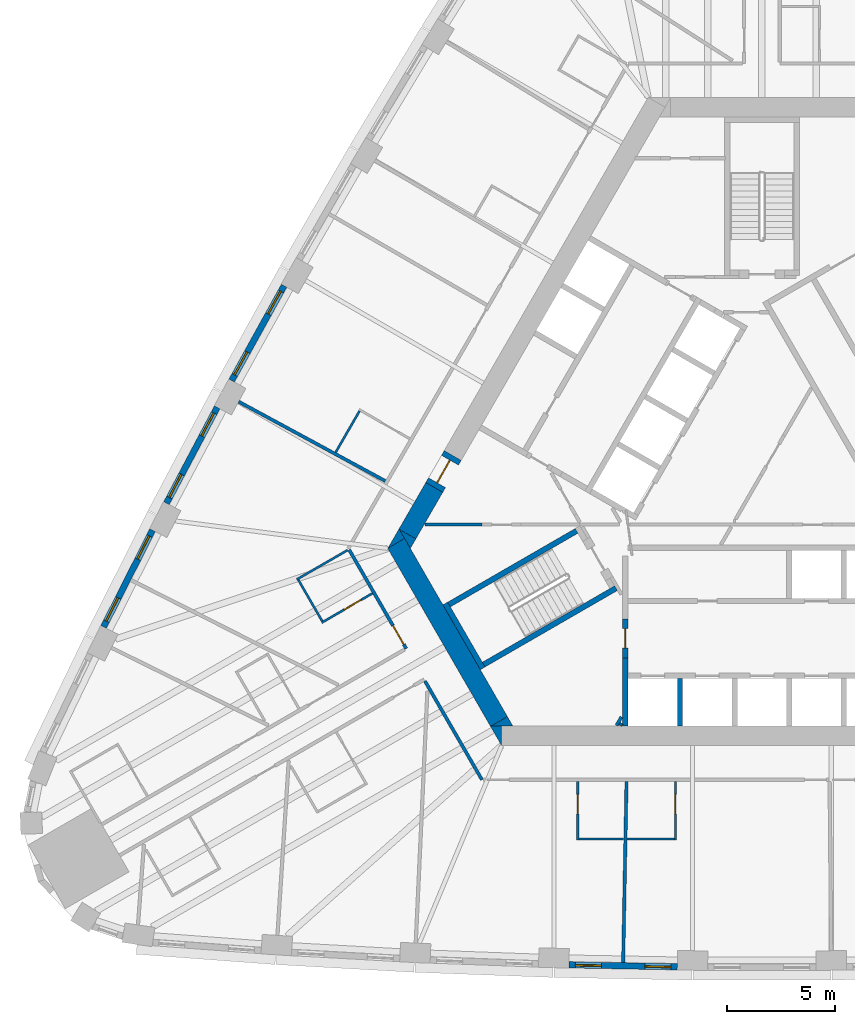
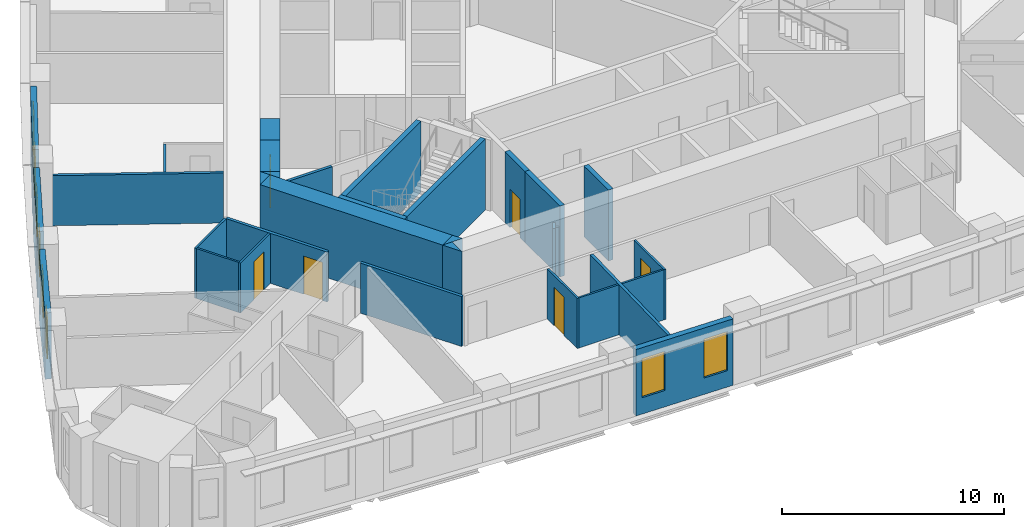
# One storey, part 4 of 13: 32 walls, 8 windows, 6 doors, 14 openings.
"""IFC4 building model written with IfcOpenShell, lengths in metres."""

from ifc_helpers import new_model, si_unit, direction, frame, frame_2d, origin, place, context, subcontext, project, spatial, polyline, rectangle, outline, extrude, material, layer, layer_set, type_object, element, fill, save


model = new_model("IFC4")

# Units and contexts
model_context = context("Model", 3, precision=1e-05, world=origin(), true_north=direction((0.0, 1.0)))
body_context = subcontext(model_context, "Body", "Model", "MODEL_VIEW")
ifc_project = project(units=[si_unit("LENGTHUNIT", "METRE"), si_unit("AREAUNIT", "SQUARE_METRE"), si_unit("VOLUMEUNIT", "CUBIC_METRE"), si_unit("PLANEANGLEUNIT", "RADIAN"), si_unit("MASSUNIT", "GRAM", prefix="KILO")], contexts=[model_context])

# Site, building, storey
site_placement = place(None, origin())
site = spatial("IfcSite", under=ifc_project, at=site_placement, CompositionType="ELEMENT")
building_placement = place(site_placement, origin())
building = spatial("IfcBuilding", under=site, at=building_placement, Name="Mestral Congress Tower", CompositionType="ELEMENT")
storey_placement = place(building_placement, frame((0.0, 0.0, 58.800048828125)))
storey = spatial("IfcBuildingStorey", under=building, at=storey_placement, Name="L13", CompositionType="ELEMENT", Elevation=58.800048828125)

# Walls
ifc_material_1 = material(Name="Fire-rated board partition")
ifc_layer_1 = layer(ifc_material_1, 0.14990234375)
ifc_layer_set_1 = layer_set([ifc_layer_1], Name="Fire-rated board partition")
wall_type_1 = type_object("IfcWallType", Name="Core partition 150", PredefinedType="PARTITIONING", material=ifc_layer_set_1)
wall_1_placement = place(storey_placement, frame((-6.707763671875, -12.068115234375, 0.0), z_axis=(0.0, 0.0, 1.0), x_axis=(0.500000789788, 0.8660249478, 0.0)))
element("IfcWall", 1, at=wall_1_placement, inside=storey, type_object=wall_type_1, Name="L13 core wall", PredefinedType="PARTITIONING", context=body_context, shape_type="SweptSolid", body=[
    extrude(rectangle(XDim=0.45556640625, YDim=0.14990234375, at=frame_2d((0.227783203125, 0.0))), origin(), (0.0, 0.0, 1.0), 2.75),
])
wall_2_placement = place(storey_placement, frame((-6.534423828125, -12.068115234375, 0.0), z_axis=(0.0, 0.0, 1.0), x_axis=(0.500240224089, 0.865886665912, 0.0)))
element("IfcWall", 2, at=wall_2_placement, inside=storey, type_object=wall_type_1, Name="L13 core wall", PredefinedType="PARTITIONING", context=body_context, shape_type="SweptSolid", body=[
    extrude(rectangle(XDim=0.10888671875, YDim=0.14990234375, at=frame_2d((0.054443359375, 0.0))), origin(), (0.0, 0.0, 1.0), 2.75),
])
wall_3_placement = place(storey_placement, frame((-12.9150390625, -2.800048828125, 0.0), z_axis=(0.0, 0.0, 1.0), x_axis=(-1.0, 0.0, 0.0)))
element("IfcWall", 3, at=wall_3_placement, inside=storey, type_object=wall_type_1, Name="L13 core wall", PredefinedType="PARTITIONING", context=body_context, shape_type="SweptSolid", body=[
    extrude(rectangle(XDim=2.63671875, YDim=0.14990234375, at=frame_2d((1.318359375, 0.0))), origin(), (0.0, 0.0, 1.0), 2.75),
])
ifc_material_2 = material(Name="Concrete C60/75", Category="concrete")
ifc_layer_2 = layer(ifc_material_2, 0.89990234375)
ifc_layer_set_2 = layer_set([ifc_layer_2], Name="Concrete C60/75")
wall_type_2 = type_object("IfcWallType", Name="Core wall RC 900", PredefinedType="SOLIDWALL", material=ifc_layer_set_2)
placement = place(storey_placement, origin())
element("IfcWall", 4, at=placement, inside=storey, type_object=wall_type_2, Name="L13 core wall", PredefinedType="SOLIDWALL", context=body_context, shape_type="SweptSolid", body=[
    extrude(outline(polyline([(-12.528564453125, -12.10009765625), (-12.0205078125, -12.10009765625), (-12.0205078125, -12.97998046875), (-12.528564453125, -12.10009765625)])), origin(), (0.0, 0.0, 1.0), 3.89990234375),
])
wall_5_placement = place(storey_placement, frame((-12.134033203125, -11.88330078125, 0.0), z_axis=(0.0, 0.0, 1.0), x_axis=(-0.500005339912, 0.866022320763, 0.0)))
element("IfcWall", 5, at=wall_5_placement, inside=storey, type_object=wall_type_2, Name="L13 core wall", PredefinedType="SOLIDWALL", context=body_context, shape_type="SweptSolid", body=[
    extrude(rectangle(XDim=9.48779296875, YDim=0.89990234375, at=frame_2d((4.743896484375, 0.0))), origin(), (0.0, 0.0, 1.0), 3.89990234375),
])
element("IfcWall", 6, at=placement, inside=storey, type_object=wall_type_2, Name="L13 core wall", PredefinedType="SOLIDWALL", context=body_context, shape_type="SweptSolid", body=[
    extrude(outline(polyline([(-16.4892578125, -3.43994140625), (-17.251220703125, -3.8798828125), (-16.7431640625, -3.0), (-16.4892578125, -3.43994140625)])), origin(), (0.0, 0.0, 1.0), 3.89990234375),
])
element("IfcWall", 7, at=placement, inside=storey, type_object=wall_type_2, Name="L13 core wall", PredefinedType="SOLIDWALL", context=body_context, shape_type="SweptSolid", body=[
    extrude(outline(polyline([(-11.4892578125, -12.10009765625), (-12.50537109375, -12.10009765625), (-11.743408203125, -11.66015625), (-11.4892578125, -12.10009765625)])), origin(), (0.0, 0.0, 1.0), 3.89990234375),
])
wall_8_placement = place(storey_placement, frame((-15.117919921875, -1.085205078125, 0.0), z_axis=(0.0, 0.0, 1.0), x_axis=(-0.50006606081, -0.865987260198, 0.0)))
element("IfcWall", 8, at=wall_8_placement, inside=storey, type_object=wall_type_2, Name="L13 core wall", PredefinedType="SOLIDWALL", context=body_context, shape_type="SweptSolid", body=[
    extrude(rectangle(XDim=2.480712890625, YDim=0.89990234375, at=frame_2d((1.240234375, 0.0))), origin(), (0.0, 0.0, 1.0), 3.89990234375),
])
element("IfcWall", 9, at=placement, inside=storey, type_object=wall_type_2, Name="L13 core wall", PredefinedType="SOLIDWALL", context=body_context, shape_type="SweptSolid", body=[
    extrude(outline(polyline([(-16.223388671875, -3.89990234375), (-16.731689453125, -3.02001953125), (-15.969482421875, -3.460205078125), (-16.223388671875, -3.89990234375)])), origin(), (0.0, 0.0, 1.0), 3.89990234375),
])

# Wall, opening, door
wall_10_placement = place(storey_placement, frame((-15.117919921875, -1.085205078125, 0.0), z_axis=(0.0, 0.0, 1.0), x_axis=(0.500000056704, 0.866025371046, 0.0)))
wall_10 = element("IfcWall", 10, at=wall_10_placement, inside=storey, type_object=wall_type_2, Name="L13 door wall", PredefinedType="SOLIDWALL", context=body_context, shape_type="SweptSolid", body=[
    extrude(rectangle(XDim=1.7001953125, YDim=0.89990234375, at=frame_2d((0.85009765625, 0.0))), origin(), (0.0, 0.0, 1.0), 3.89990234375),
])
opening_1_placement = place(wall_10_placement, frame((0.25, 0.0, 0.0)))
opening_1 = element("IfcOpeningElement", 11, at=opening_1_placement, cuts=wall_10, Name="Opening XD3", PredefinedType="OPENING", context=body_context, shape_type="SweptSolid", body=[
    extrude(rectangle(XDim=1.199951171875, YDim=2.10009765625, at=frame_2d((0.60009765625, 1.050048828125))), frame((0.0, 0.4599609375, 0.0), z_axis=(0.0, -1.0, 0.0), x_axis=(1.0, 0.0, 0.0)), (0.0, 0.0, 1.0), 0.919921875),
])
ifc_material_3 = material(Name="Fire-rated steel door set", Category="steel")
door_type_1 = type_object("IfcDoorType", Name="Core door XD 1200x2100", OperationType="SINGLE_SWING_LEFT", PredefinedType="DOOR", material=ifc_material_3)
door_1_placement = place(opening_1_placement, origin())
door_1 = element("IfcDoor", 12, at=door_1_placement, inside=storey, type_object=door_type_1, Name="Door XD3", OperationType="SINGLE_SWING_LEFT", OverallHeight=2.10009765625, OverallWidth=1.199951171875, PredefinedType="DOOR", context=body_context, shape_type="SweptSolid", body=[
    extrude(rectangle(XDim=1.199951171875, YDim=2.10009765625, at=frame_2d((0.60009765625, 1.050048828125))), frame((0.0, 0.02490234375, 0.0), z_axis=(0.0, -1.0, 0.0), x_axis=(1.0, 0.0, 0.0)), (0.0, 0.0, 1.0), 0.050048828125),
])
fill(opening_1, door_1)

# Wall, openings, windows
ifc_material_4 = material(Name="Precast concrete C40/50 with limestone facing", Category="masonry")
ifc_layer_3 = layer(ifc_material_4, 0.2900390625)
ifc_layer_set_3 = layer_set([ifc_layer_3], Name="Precast concrete C40/50 with limestone facing")
wall_type_3 = type_object("IfcWallType", Name="Facade stone wall 290", PredefinedType="SOLIDWALL", material=ifc_layer_set_3)
wall_11_placement = place(storey_placement, frame((-8.903564453125, -23.11279296875, 0.0), z_axis=(0.0, 0.0, 1.0), x_axis=(0.999829529479, -0.018463801951, 0.0)))
wall_11 = element("IfcWall", 13, at=wall_11_placement, inside=storey, type_object=wall_type_3, Name="Facade wall F0-03", PredefinedType="SOLIDWALL", context=body_context, shape_type="SweptSolid", body=[
    extrude(rectangle(XDim=4.998046875, YDim=0.2900390625, at=frame_2d((2.4990234375, 0.0))), origin(), (0.0, 0.0, 1.0), 3.64990234375),
])
opening_2_placement = place(wall_11_placement, frame((0.297119140625, 0.0, 0.89990234375)))
opening_2 = element("IfcOpeningElement", 14, at=opening_2_placement, cuts=wall_11, Name="Opening W1", PredefinedType="OPENING", context=body_context, shape_type="SweptSolid", body=[
    extrude(rectangle(XDim=1.199951171875, YDim=2.14990234375, at=frame_2d((0.60009765625, 1.074951171875))), frame((0.0, 0.155029296875, 0.0), z_axis=(0.0, -1.0, 0.0), x_axis=(1.0, 0.0, 0.0)), (0.0, 0.0, 1.0), 0.31005859375),
])
opening_3_placement = place(wall_11_placement, frame((3.501220703125, 0.0, 0.89990234375)))
opening_3 = element("IfcOpeningElement", 15, at=opening_3_placement, cuts=wall_11, Name="Opening W1", PredefinedType="OPENING", context=body_context, shape_type="SweptSolid", body=[
    extrude(rectangle(XDim=1.199951171875, YDim=2.14990234375, at=frame_2d((0.60009765625, 1.074951171875))), frame((0.0, 0.155029296875, 0.0), z_axis=(0.0, -1.0, 0.0), x_axis=(1.0, 0.0, 0.0)), (0.0, 0.0, 1.0), 0.31005859375),
])
ifc_material_5 = material(Name="Clear low-emissivity double glazing", Category="glass")
window_type = type_object("IfcWindowType", Name="Facade punched window 1200 x 2150 sill 900", PartitioningType="DOUBLE_PANEL_VERTICAL", PredefinedType="WINDOW", material=ifc_material_5)
window_1_placement = place(opening_2_placement, origin())
window_1 = element("IfcWindow", 16, at=window_1_placement, inside=storey, type_object=window_type, Name="Window F0-03a", OverallHeight=2.14990234375, OverallWidth=1.199951171875, PartitioningType="DOUBLE_PANEL_VERTICAL", PredefinedType="WINDOW", context=body_context, shape_type="SweptSolid", body=[
    extrude(rectangle(XDim=1.199951171875, YDim=2.14990234375, at=frame_2d((0.60009765625, 1.074951171875))), frame((0.0, 0.01513671875, 0.0), z_axis=(0.0, -1.0, 0.0), x_axis=(1.0, 0.0, 0.0)), (0.0, 0.0, 1.0), 0.06005859375),
])
fill(opening_2, window_1)
window_2_placement = place(opening_3_placement, origin())
window_2 = element("IfcWindow", 17, at=window_2_placement, inside=storey, type_object=window_type, Name="Window F0-03b", OverallHeight=2.14990234375, OverallWidth=1.199951171875, PartitioningType="DOUBLE_PANEL_VERTICAL", PredefinedType="WINDOW", context=body_context, shape_type="SweptSolid", body=[
    extrude(rectangle(XDim=1.199951171875, YDim=2.14990234375, at=frame_2d((0.60009765625, 1.074951171875))), frame((0.0, 0.01513671875, 0.0), z_axis=(0.0, -1.0, 0.0), x_axis=(1.0, 0.0, 0.0)), (0.0, 0.0, 1.0), 0.06005859375),
])
fill(opening_3, window_2)

wall_12_placement = place(storey_placement, frame((-22.049560546875, 8.2197265625, 0.0), z_axis=(0.0, 0.0, 1.0), x_axis=(-0.483912572871, -0.875116347589, 0.0)))
wall_12 = element("IfcWall", 18, at=wall_12_placement, inside=storey, type_object=wall_type_3, Name="Facade wall F2-05", PredefinedType="SOLIDWALL", context=body_context, shape_type="SweptSolid", body=[
    extrude(rectangle(XDim=4.998291015625, YDim=0.2900390625, at=frame_2d((2.4990234375, 0.0))), origin(), (0.0, 0.0, 1.0), 3.64990234375),
])
opening_4_placement = place(wall_12_placement, frame((0.297119140625, 0.0, 0.89990234375)))
opening_4 = element("IfcOpeningElement", 19, at=opening_4_placement, cuts=wall_12, Name="Opening W1", PredefinedType="OPENING", context=body_context, shape_type="SweptSolid", body=[
    extrude(rectangle(XDim=1.199951171875, YDim=2.14990234375, at=frame_2d((0.60009765625, 1.074951171875))), frame((0.0, 0.155029296875, 0.0), z_axis=(0.0, -1.0, 0.0), x_axis=(1.0, 0.0, 0.0)), (0.0, 0.0, 1.0), 0.31005859375),
])
opening_5_placement = place(wall_12_placement, frame((3.501220703125, 0.0, 0.89990234375)))
opening_5 = element("IfcOpeningElement", 20, at=opening_5_placement, cuts=wall_12, Name="Opening W1", PredefinedType="OPENING", context=body_context, shape_type="SweptSolid", body=[
    extrude(rectangle(XDim=1.199951171875, YDim=2.14990234375, at=frame_2d((0.60009765625, 1.074951171875))), frame((0.0, 0.155029296875, 0.0), z_axis=(0.0, -1.0, 0.0), x_axis=(1.0, 0.0, 0.0)), (0.0, 0.0, 1.0), 0.31005859375),
])
window_3_placement = place(opening_4_placement, origin())
window_3 = element("IfcWindow", 21, at=window_3_placement, inside=storey, type_object=window_type, Name="Window F2-05a", OverallHeight=2.14990234375, OverallWidth=1.199951171875, PartitioningType="DOUBLE_PANEL_VERTICAL", PredefinedType="WINDOW", context=body_context, shape_type="SweptSolid", body=[
    extrude(rectangle(XDim=1.199951171875, YDim=2.14990234375, at=frame_2d((0.60009765625, 1.074951171875))), frame((0.0, 0.01513671875, 0.0), z_axis=(0.0, -1.0, 0.0), x_axis=(1.0, 0.0, 0.0)), (0.0, 0.0, 1.0), 0.06005859375),
])
fill(opening_4, window_3)
window_4_placement = place(opening_5_placement, origin())
window_4 = element("IfcWindow", 22, at=window_4_placement, inside=storey, type_object=window_type, Name="Window F2-05b", OverallHeight=2.14990234375, OverallWidth=1.199951171875, PartitioningType="DOUBLE_PANEL_VERTICAL", PredefinedType="WINDOW", context=body_context, shape_type="SweptSolid", body=[
    extrude(rectangle(XDim=1.199951171875, YDim=2.14990234375, at=frame_2d((0.60009765625, 1.074951171875))), frame((0.0, 0.01513671875, 0.0), z_axis=(0.0, -1.0, 0.0), x_axis=(1.0, 0.0, 0.0)), (0.0, 0.0, 1.0), 0.06005859375),
])
fill(opening_5, window_4)

wall_13_placement = place(storey_placement, frame((-25.1376953125, 2.60791015625, 0.0), z_axis=(0.0, 0.0, 1.0), x_axis=(-0.467629620899, -0.883924509026, 0.0)))
wall_13 = element("IfcWall", 23, at=wall_13_placement, inside=storey, type_object=wall_type_3, Name="Facade wall F2-06", PredefinedType="SOLIDWALL", context=body_context, shape_type="SweptSolid", body=[
    extrude(rectangle(XDim=4.998291015625, YDim=0.2900390625, at=frame_2d((2.4990234375, 0.0))), origin(), (0.0, 0.0, 1.0), 3.64990234375),
])
opening_6_placement = place(wall_13_placement, frame((0.297119140625, 0.0, 0.89990234375)))
opening_6 = element("IfcOpeningElement", 24, at=opening_6_placement, cuts=wall_13, Name="Opening W1", PredefinedType="OPENING", context=body_context, shape_type="SweptSolid", body=[
    extrude(rectangle(XDim=1.199951171875, YDim=2.14990234375, at=frame_2d((0.60009765625, 1.074951171875))), frame((0.0, 0.155029296875, 0.0), z_axis=(0.0, -1.0, 0.0), x_axis=(1.0, 0.0, 0.0)), (0.0, 0.0, 1.0), 0.31005859375),
])
opening_7_placement = place(wall_13_placement, frame((3.501220703125, 0.0, 0.89990234375)))
opening_7 = element("IfcOpeningElement", 25, at=opening_7_placement, cuts=wall_13, Name="Opening W1", PredefinedType="OPENING", context=body_context, shape_type="SweptSolid", body=[
    extrude(rectangle(XDim=1.199951171875, YDim=2.14990234375, at=frame_2d((0.60009765625, 1.074951171875))), frame((0.0, 0.155029296875, 0.0), z_axis=(0.0, -1.0, 0.0), x_axis=(1.0, 0.0, 0.0)), (0.0, 0.0, 1.0), 0.31005859375),
])
window_5_placement = place(opening_6_placement, origin())
window_5 = element("IfcWindow", 26, at=window_5_placement, inside=storey, type_object=window_type, Name="Window F2-06a", OverallHeight=2.14990234375, OverallWidth=1.199951171875, PartitioningType="DOUBLE_PANEL_VERTICAL", PredefinedType="WINDOW", context=body_context, shape_type="SweptSolid", body=[
    extrude(rectangle(XDim=1.199951171875, YDim=2.14990234375, at=frame_2d((0.60009765625, 1.074951171875))), frame((0.0, 0.01513671875, 0.0), z_axis=(0.0, -1.0, 0.0), x_axis=(1.0, 0.0, 0.0)), (0.0, 0.0, 1.0), 0.06005859375),
])
fill(opening_6, window_5)
window_6_placement = place(opening_7_placement, origin())
window_6 = element("IfcWindow", 27, at=window_6_placement, inside=storey, type_object=window_type, Name="Window F2-06b", OverallHeight=2.14990234375, OverallWidth=1.199951171875, PartitioningType="DOUBLE_PANEL_VERTICAL", PredefinedType="WINDOW", context=body_context, shape_type="SweptSolid", body=[
    extrude(rectangle(XDim=1.199951171875, YDim=2.14990234375, at=frame_2d((0.60009765625, 1.074951171875))), frame((0.0, 0.01513671875, 0.0), z_axis=(0.0, -1.0, 0.0), x_axis=(1.0, 0.0, 0.0)), (0.0, 0.0, 1.0), 0.06005859375),
])
fill(opening_7, window_6)

wall_14_placement = place(storey_placement, frame((-28.12158203125, -3.06005859375, 0.0), z_axis=(0.0, 0.0, 1.0), x_axis=(-0.451233929645, -0.892405704115, 0.0)))
wall_14 = element("IfcWall", 28, at=wall_14_placement, inside=storey, type_object=wall_type_3, Name="Facade wall F2-07", PredefinedType="SOLIDWALL", context=body_context, shape_type="SweptSolid", body=[
    extrude(rectangle(XDim=4.998291015625, YDim=0.2900390625, at=frame_2d((2.4990234375, 0.0))), origin(), (0.0, 0.0, 1.0), 3.64990234375),
])
opening_8_placement = place(wall_14_placement, frame((0.297119140625, 0.0, 0.89990234375)))
opening_8 = element("IfcOpeningElement", 29, at=opening_8_placement, cuts=wall_14, Name="Opening W1", PredefinedType="OPENING", context=body_context, shape_type="SweptSolid", body=[
    extrude(rectangle(XDim=1.199951171875, YDim=2.14990234375, at=frame_2d((0.60009765625, 1.074951171875))), frame((0.0, 0.155029296875, 0.0), z_axis=(0.0, -1.0, 0.0), x_axis=(1.0, 0.0, 0.0)), (0.0, 0.0, 1.0), 0.31005859375),
])
opening_9_placement = place(wall_14_placement, frame((3.501220703125, 0.0, 0.89990234375)))
opening_9 = element("IfcOpeningElement", 30, at=opening_9_placement, cuts=wall_14, Name="Opening W1", PredefinedType="OPENING", context=body_context, shape_type="SweptSolid", body=[
    extrude(rectangle(XDim=1.199951171875, YDim=2.14990234375, at=frame_2d((0.60009765625, 1.074951171875))), frame((0.0, 0.155029296875, 0.0), z_axis=(0.0, -1.0, 0.0), x_axis=(1.0, 0.0, 0.0)), (0.0, 0.0, 1.0), 0.31005859375),
])
window_7_placement = place(opening_8_placement, origin())
window_7 = element("IfcWindow", 31, at=window_7_placement, inside=storey, type_object=window_type, Name="Window F2-07a", OverallHeight=2.14990234375, OverallWidth=1.199951171875, PartitioningType="DOUBLE_PANEL_VERTICAL", PredefinedType="WINDOW", context=body_context, shape_type="SweptSolid", body=[
    extrude(rectangle(XDim=1.199951171875, YDim=2.14990234375, at=frame_2d((0.60009765625, 1.074951171875))), frame((0.0, 0.01513671875, 0.0), z_axis=(0.0, -1.0, 0.0), x_axis=(1.0, 0.0, 0.0)), (0.0, 0.0, 1.0), 0.06005859375),
])
fill(opening_8, window_7)
window_8_placement = place(opening_9_placement, origin())
window_8 = element("IfcWindow", 32, at=window_8_placement, inside=storey, type_object=window_type, Name="Window F2-07b", OverallHeight=2.14990234375, OverallWidth=1.199951171875, PartitioningType="DOUBLE_PANEL_VERTICAL", PredefinedType="WINDOW", context=body_context, shape_type="SweptSolid", body=[
    extrude(rectangle(XDim=1.199951171875, YDim=2.14990234375, at=frame_2d((0.60009765625, 1.074951171875))), frame((0.0, 0.01513671875, 0.0), z_axis=(0.0, -1.0, 0.0), x_axis=(1.0, 0.0, 0.0)), (0.0, 0.0, 1.0), 0.06005859375),
])
fill(opening_9, window_8)

# Wall, opening, door
ifc_material_6 = material(Name="Gypsum board partition on metal studs with mineral wool", Category="composite")
ifc_layer_4 = layer(ifc_material_6, 0.10009765625)
ifc_layer_set_4 = layer_set([ifc_layer_4], Name="Gypsum board partition on metal studs with mineral wool")
wall_type_4 = type_object("IfcWallType", Name="Hotel partition wall 100", PredefinedType="PARTITIONING", material=ifc_layer_set_4)
wall_15_placement = place(storey_placement, frame((-8.501708984375, -14.64990234375, 0.0), z_axis=(0.0, 0.0, 1.0), x_axis=(0.0, -1.0, 0.0)))
wall_15 = element("IfcWall", 33, at=wall_15_placement, inside=storey, type_object=wall_type_4, Name="L13-h-pod03a", PredefinedType="PARTITIONING", context=body_context, shape_type="SweptSolid", body=[
    extrude(rectangle(XDim=2.7001953125, YDim=0.10009765625, at=frame_2d((1.35009765625, 0.0))), origin(), (0.0, 0.0, 1.0), 2.75),
])
opening_10_placement = place(wall_15_placement, frame((0.60009765625, 0.0, 0.0)))
opening_10 = element("IfcOpeningElement", 34, at=opening_10_placement, cuts=wall_15, Name="Opening H03-006", PredefinedType="OPENING", context=body_context, shape_type="SweptSolid", body=[
    extrude(rectangle(XDim=0.89990234375, YDim=2.10009765625, at=frame_2d((0.449951171875, 1.050048828125))), frame((0.0, 0.06005859375, 0.0), z_axis=(0.0, -1.0, 0.0), x_axis=(1.0, 0.0, 0.0)), (0.0, 0.0, 1.0), 0.1201171875),
])
ifc_material_7 = material(Name="Timber veneer door leaf in timber frame", Category="wood")
door_type_2 = type_object("IfcDoorType", Name="Bathroom door 900", OperationType="SINGLE_SWING_LEFT", PredefinedType="DOOR", material=ifc_material_7)
door_2_placement = place(opening_10_placement, origin())
door_2 = element("IfcDoor", 35, at=door_2_placement, inside=storey, type_object=door_type_2, Name="L13-h-d006", OperationType="SINGLE_SWING_RIGHT", OverallHeight=2.10009765625, OverallWidth=0.89990234375, PredefinedType="DOOR", context=body_context, shape_type="SweptSolid", body=[
    extrude(rectangle(XDim=0.89990234375, YDim=2.10009765625, at=frame_2d((0.449951171875, 1.050048828125))), frame((0.0, 0.02490234375, 0.0), z_axis=(0.0, -1.0, 0.0), x_axis=(1.0, 0.0, 0.0)), (0.0, 0.0, 1.0), 0.050048828125),
])
fill(opening_10, door_2)

# Wall
wall_16_placement = place(storey_placement, frame((-8.45166015625, -17.300048828125, 0.0), z_axis=(0.0, 0.0, 1.0), x_axis=(1.0, 0.0, 0.0)))
element("IfcWall", 36, at=wall_16_placement, inside=storey, type_object=wall_type_4, Name="L13-h-pod03b", PredefinedType="PARTITIONING", context=body_context, shape_type="SweptSolid", body=[
    extrude(rectangle(XDim=2.070068359375, YDim=0.10009765625, at=frame_2d((1.03515625, 0.0))), origin(), (0.0, 0.0, 1.0), 2.75),
])

# Wall, opening, door
wall_17_placement = place(storey_placement, frame((-3.994384765625, -17.35009765625, 0.0), z_axis=(0.0, 0.0, 1.0), x_axis=(0.0, 1.0, 0.0)))
wall_17 = element("IfcWall", 37, at=wall_17_placement, inside=storey, type_object=wall_type_4, Name="L13-h-pod04a", PredefinedType="PARTITIONING", context=body_context, shape_type="SweptSolid", body=[
    extrude(rectangle(XDim=2.7001953125, YDim=0.10009765625, at=frame_2d((1.35009765625, 0.0))), origin(), (0.0, 0.0, 1.0), 2.75),
])
opening_11_placement = place(wall_17_placement, frame((1.199951171875, 0.0, 0.0)))
opening_11 = element("IfcOpeningElement", 38, at=opening_11_placement, cuts=wall_17, Name="Opening H03-008", PredefinedType="OPENING", context=body_context, shape_type="SweptSolid", body=[
    extrude(rectangle(XDim=0.89990234375, YDim=2.10009765625, at=frame_2d((0.449951171875, 1.050048828125))), frame((0.0, 0.06005859375, 0.0), z_axis=(0.0, -1.0, 0.0), x_axis=(1.0, 0.0, 0.0)), (0.0, 0.0, 1.0), 0.1201171875),
])
door_3_placement = place(opening_11_placement, origin())
door_3 = element("IfcDoor", 39, at=door_3_placement, inside=storey, type_object=door_type_2, Name="L13-h-d008", OperationType="SINGLE_SWING_LEFT", OverallHeight=2.10009765625, OverallWidth=0.89990234375, PredefinedType="DOOR", context=body_context, shape_type="SweptSolid", body=[
    extrude(rectangle(XDim=0.89990234375, YDim=2.10009765625, at=frame_2d((0.449951171875, 1.050048828125))), frame((0.0, 0.02490234375, 0.0), z_axis=(0.0, -1.0, 0.0), x_axis=(1.0, 0.0, 0.0)), (0.0, 0.0, 1.0), 0.050048828125),
])
fill(opening_11, door_3)

# Walls
wall_18_placement = place(storey_placement, frame((-4.044189453125, -17.300048828125, 0.0), z_axis=(0.0, 0.0, 1.0), x_axis=(-1.0, 0.0, 0.0)))
element("IfcWall", 40, at=wall_18_placement, inside=storey, type_object=wall_type_4, Name="L13-h-pod04b", PredefinedType="PARTITIONING", context=body_context, shape_type="SweptSolid", body=[
    extrude(rectangle(XDim=2.170166015625, YDim=0.10009765625, at=frame_2d((1.0849609375, 0.0))), origin(), (0.0, 0.0, 1.0), 2.75),
])
wall_19_placement = place(storey_placement, frame((-18.5673828125, 2.440673828125, 0.0), z_axis=(0.0, 0.0, 1.0), x_axis=(-0.499946605688, -0.86605622881, 0.0)))
element("IfcWall", 41, at=wall_19_placement, inside=storey, type_object=wall_type_4, Name="L13-h-pod23b", PredefinedType="PARTITIONING", context=body_context, shape_type="SweptSolid", body=[
    extrude(rectangle(XDim=2.199951171875, YDim=0.10009765625, at=frame_2d((1.10009765625, 0.0))), origin(), (0.0, 0.0, 1.0), 2.75),
])

# Wall, opening, door
wall_20_placement = place(storey_placement, frame((-20.3095703125, -7.32275390625, 0.0), z_axis=(0.0, 0.0, 1.0), x_axis=(0.86599734893, 0.500048589285, 0.0)))
wall_20 = element("IfcWall", 42, at=wall_20_placement, inside=storey, type_object=wall_type_4, Name="L13-h-pod24a", PredefinedType="PARTITIONING", context=body_context, shape_type="SweptSolid", body=[
    extrude(rectangle(XDim=2.699951171875, YDim=0.10009765625, at=frame_2d((1.35009765625, 0.0))), origin(), (0.0, 0.0, 1.0), 2.75),
])
opening_12_placement = place(wall_20_placement, frame((1.199951171875, 0.0, 0.0)))
opening_12 = element("IfcOpeningElement", 43, at=opening_12_placement, cuts=wall_20, Name="Opening H03-046", PredefinedType="OPENING", context=body_context, shape_type="SweptSolid", body=[
    extrude(rectangle(XDim=0.89990234375, YDim=2.10009765625, at=frame_2d((0.449951171875, 1.050048828125))), frame((0.0, 0.06005859375, 0.0), z_axis=(0.0, -1.0, 0.0), x_axis=(1.0, 0.0, 0.0)), (0.0, 0.0, 1.0), 0.1201171875),
])
door_4_placement = place(opening_12_placement, origin())
door_4 = element("IfcDoor", 44, at=door_4_placement, inside=storey, type_object=door_type_2, Name="L13-h-d046", OperationType="SINGLE_SWING_RIGHT", OverallHeight=2.10009765625, OverallWidth=0.89990234375, PredefinedType="DOOR", context=body_context, shape_type="SweptSolid", body=[
    extrude(rectangle(XDim=0.89990234375, YDim=2.10009765625, at=frame_2d((0.449951171875, 1.050048828125))), frame((0.0, 0.02490234375, 0.0), z_axis=(0.0, -1.0, 0.0), x_axis=(1.0, 0.0, 0.0)), (0.0, 0.0, 1.0), 0.050048828125),
])
fill(opening_12, door_4)

# Walls
wall_21_placement = place(storey_placement, frame((-20.291259765625, -7.25439453125, 0.0), z_axis=(0.0, 0.0, 1.0), x_axis=(-0.50002983664, 0.866008176907, 0.0)))
element("IfcWall", 45, at=wall_21_placement, inside=storey, type_object=wall_type_4, Name="L13-h-pod24b", PredefinedType="PARTITIONING", context=body_context, shape_type="SweptSolid", body=[
    extrude(rectangle(XDim=2.199951171875, YDim=0.10009765625, at=frame_2d((1.10009765625, 0.0))), origin(), (0.0, 0.0, 1.0), 2.75),
])
wall_22_placement = place(storey_placement, frame((-19.121337890625, -3.980712890625, 0.0), z_axis=(0.0, 0.0, 1.0), x_axis=(-0.866019956843, -0.50000943426, 0.0)))
element("IfcWall", 46, at=wall_22_placement, inside=storey, type_object=wall_type_4, Name="L13-h-pod24c", PredefinedType="PARTITIONING", context=body_context, shape_type="SweptSolid", body=[
    extrude(rectangle(XDim=2.7001953125, YDim=0.10009765625, at=frame_2d((1.35009765625, 0.0))), origin(), (0.0, 0.0, 1.0), 2.75),
])

# Wall, opening, door
ifc_layer_5 = layer(ifc_material_6, 0.14990234375)
ifc_layer_set_5 = layer_set([ifc_layer_5], Name="Gypsum board partition on metal studs with mineral wool")
wall_type_5 = type_object("IfcWallType", Name="Hotel partition wall 150", PredefinedType="PARTITIONING", material=ifc_layer_set_5)
wall_23_placement = place(storey_placement, frame((-16.412353515625, -8.52294921875, 0.0), z_axis=(0.0, 0.0, 1.0), x_axis=(-0.500001929737, 0.866024289647, 0.0)))
wall_23 = element("IfcWall", 47, at=wall_23_placement, inside=storey, type_object=wall_type_5, Name="L13-h-cw09", PredefinedType="PARTITIONING", context=body_context, shape_type="SweptSolid", body=[
    extrude(rectangle(XDim=5.26806640625, YDim=0.14990234375, at=frame_2d((2.634033203125, 0.0))), origin(), (0.0, 0.0, 1.0), 2.75),
])
opening_13_placement = place(wall_23_placement, frame((0.22607421875, 0.0, 0.0)))
opening_13 = element("IfcOpeningElement", 48, at=opening_13_placement, cuts=wall_23, Name="Opening H03-045", PredefinedType="OPENING", context=body_context, shape_type="SweptSolid", body=[
    extrude(rectangle(XDim=1.0, YDim=2.10009765625, at=frame_2d((0.5, 1.050048828125))), frame((0.0, 0.0849609375, 0.0), z_axis=(0.0, -1.0, 0.0), x_axis=(1.0, 0.0, 0.0)), (0.0, 0.0, 1.0), 0.169921875),
])
ifc_material_8 = material(Name="Timber veneer door leaf in metal frame", Category="wood")
door_type_3 = type_object("IfcDoorType", Name="Guest room entrance door 1000", OperationType="SINGLE_SWING_LEFT", PredefinedType="DOOR", material=ifc_material_8)
door_5_placement = place(opening_13_placement, origin())
door_5 = element("IfcDoor", 49, at=door_5_placement, inside=storey, type_object=door_type_3, Name="L13-h-d045", OperationType="SINGLE_SWING_LEFT", OverallHeight=2.10009765625, OverallWidth=1.0, PredefinedType="DOOR", context=body_context, shape_type="SweptSolid", body=[
    extrude(rectangle(XDim=1.0, YDim=2.10009765625, at=frame_2d((0.5, 1.050048828125))), frame((0.0, 0.02490234375, 0.0), z_axis=(0.0, -1.0, 0.0), x_axis=(1.0, 0.0, 0.0)), (0.0, 0.0, 1.0), 0.050048828125),
])
fill(opening_13, door_5)

# Walls
wall_24_placement = place(storey_placement, frame((-12.918212890625, -14.574951171875, 0.0), z_axis=(0.0, 0.0, 1.0), x_axis=(-0.500009150678, 0.866020120573, 0.0)))
element("IfcWall", 50, at=wall_24_placement, inside=storey, type_object=wall_type_5, Name="L13-h-cw12", PredefinedType="PARTITIONING", context=body_context, shape_type="SweptSolid", body=[
    extrude(rectangle(XDim=5.25830078125, YDim=0.14990234375, at=frame_2d((2.629150390625, 0.0))), origin(), (0.0, 0.0, 1.0), 2.75),
])
wall_25_placement = place(storey_placement, frame((-24.14453125, 2.87060546875, 0.0), z_axis=(0.0, 0.0, 1.0), x_axis=(0.879551725039, -0.475803281809, 0.0)))
element("IfcWall", 51, at=wall_25_placement, inside=storey, type_object=wall_type_5, Name="L13-h-pw05", PredefinedType="PARTITIONING", context=body_context, shape_type="SweptSolid", body=[
    extrude(rectangle(XDim=7.68798828125, YDim=0.14990234375, at=frame_2d((3.843994140625, 0.0))), origin(), (0.0, 0.0, 1.0), 2.75),
])
wall_26_placement = place(storey_placement, frame((-6.40234375, -23.013916015625, 0.0), z_axis=(0.0, 0.0, 1.0), x_axis=(0.01849587109, 0.999828936745, 0.0)))
element("IfcWall", 52, at=wall_26_placement, inside=storey, type_object=wall_type_5, Name="L13-h-pw10", PredefinedType="PARTITIONING", context=body_context, shape_type="SweptSolid", body=[
    extrude(rectangle(XDim=8.35546875, YDim=0.14990234375, at=frame_2d((4.177734375, 0.0))), origin(), (0.0, 0.0, 1.0), 2.75),
])
ifc_layer_6 = layer(ifc_material_2, 0.25)
ifc_layer_set_6 = layer_set([ifc_layer_6], Name="Concrete C60/75")
wall_type_6 = type_object("IfcWallType", Name="Shaft wall RC 250", PredefinedType="SOLIDWALL", material=ifc_layer_set_6)
wall_27_placement = place(storey_placement, frame((-3.780029296875, -12.10009765625, 0.0), z_axis=(0.0, 0.0, 1.0), x_axis=(0.0, 1.0, 0.0)))
element("IfcWall", 53, at=wall_27_placement, inside=storey, type_object=wall_type_6, Name="L13 core wall", PredefinedType="SOLIDWALL", context=body_context, shape_type="SweptSolid", body=[
    extrude(rectangle(XDim=2.199951171875, YDim=0.25, at=frame_2d((1.10009765625, 0.0))), origin(), (0.0, 0.0, 1.0), 3.89990234375),
])
wall_28_placement = place(storey_placement, frame((-6.300048828125, -12.10009765625, 0.0), z_axis=(0.0, 0.0, 1.0), x_axis=(0.0, 1.0, 0.0)))
element("IfcWall", 54, at=wall_28_placement, inside=storey, type_object=wall_type_6, Name="L13 core wall", PredefinedType="SOLIDWALL", context=body_context, shape_type="SweptSolid", body=[
    extrude(rectangle(XDim=3.1455078125, YDim=0.25, at=frame_2d((1.57275390625, 0.0))), origin(), (0.0, 0.0, 1.0), 3.89990234375),
])

# Wall, opening, door
wall_29_placement = place(storey_placement, frame((-6.300048828125, -7.154296875, 0.0), z_axis=(0.0, 0.0, 1.0), x_axis=(0.0, -1.0, 0.0)))
wall_29 = element("IfcWall", 55, at=wall_29_placement, inside=storey, type_object=wall_type_6, Name="L13 door wall", PredefinedType="SOLIDWALL", context=body_context, shape_type="SweptSolid", body=[
    extrude(rectangle(XDim=1.800048828125, YDim=0.25, at=frame_2d((0.89990234375, 0.0))), origin(), (0.0, 0.0, 1.0), 3.89990234375),
])
opening_14_placement = place(wall_29_placement, frame((0.449951171875, 0.0, 0.0)))
opening_14 = element("IfcOpeningElement", 56, at=opening_14_placement, cuts=wall_29, Name="Opening TD3", PredefinedType="OPENING", context=body_context, shape_type="SweptSolid", body=[
    extrude(rectangle(XDim=0.89990234375, YDim=2.10009765625, at=frame_2d((0.449951171875, 1.050048828125))), frame((0.0, 0.135009765625, 0.0), z_axis=(0.0, -1.0, 0.0), x_axis=(1.0, 0.0, 0.0)), (0.0, 0.0, 1.0), 0.27001953125),
])
door_type_4 = type_object("IfcDoorType", Name="Core door SR 900x2100", OperationType="SINGLE_SWING_LEFT", PredefinedType="DOOR", material=ifc_material_3)
door_6_placement = place(opening_14_placement, origin())
door_6 = element("IfcDoor", 57, at=door_6_placement, inside=storey, type_object=door_type_4, Name="Door TD3", OperationType="SINGLE_SWING_LEFT", OverallHeight=2.10009765625, OverallWidth=0.89990234375, PredefinedType="DOOR", context=body_context, shape_type="SweptSolid", body=[
    extrude(rectangle(XDim=0.89990234375, YDim=2.10009765625, at=frame_2d((0.449951171875, 1.050048828125))), frame((0.0, 0.02490234375, 0.0), z_axis=(0.0, -1.0, 0.0), x_axis=(1.0, 0.0, 0.0)), (0.0, 0.0, 1.0), 0.050048828125),
])
fill(opening_14, door_6)

# Walls
ifc_layer_7 = layer(ifc_material_2, 0.25)
ifc_layer_set_7 = layer_set([ifc_layer_7], Name="Concrete C60/75")
wall_type_7 = type_object("IfcWallType", Name="Stair wall RC 250", PredefinedType="SOLIDWALL", material=ifc_layer_set_7)
wall_30_placement = place(storey_placement, frame((-12.885498046875, -9.431396484375, 0.0), z_axis=(0.0, 0.0, 1.0), x_axis=(-0.500020560727, 0.866013532718, 0.0)))
element("IfcWall", 58, at=wall_30_placement, inside=storey, type_object=wall_type_7, Name="L13 core wall", PredefinedType="SOLIDWALL", context=body_context, shape_type="SweptSolid", body=[
    extrude(rectangle(XDim=3.449951171875, YDim=0.25, at=frame_2d((1.72509765625, 0.0))), origin(), (0.0, 0.0, 1.0), 3.89990234375),
])
wall_31_placement = place(storey_placement, frame((-14.43994140625, -6.489501953125, 0.0), z_axis=(0.0, 0.0, 1.0), x_axis=(0.866022966069, 0.500004222222, 0.0)))
element("IfcWall", 59, at=wall_31_placement, inside=storey, type_object=wall_type_7, Name="L13 core wall", PredefinedType="SOLIDWALL", context=body_context, shape_type="SweptSolid", body=[
    extrude(rectangle(XDim=6.80029296875, YDim=0.25, at=frame_2d((3.400146484375, 0.0))), origin(), (0.0, 0.0, 1.0), 3.89990234375),
])
wall_32_placement = place(storey_placement, frame((-12.83984375, -9.2607421875, 0.0), z_axis=(0.0, 0.0, 1.0), x_axis=(0.866016039709, 0.500016218704, 0.0)))
element("IfcWall", 60, at=wall_32_placement, inside=storey, type_object=wall_type_7, Name="L13 core wall", PredefinedType="SOLIDWALL", context=body_context, shape_type="SweptSolid", body=[
    extrude(rectangle(XDim=7.050048828125, YDim=0.25, at=frame_2d((3.52490234375, 0.0))), origin(), (0.0, 0.0, 1.0), 3.89990234375),
])

save(model, "model.ifc")
